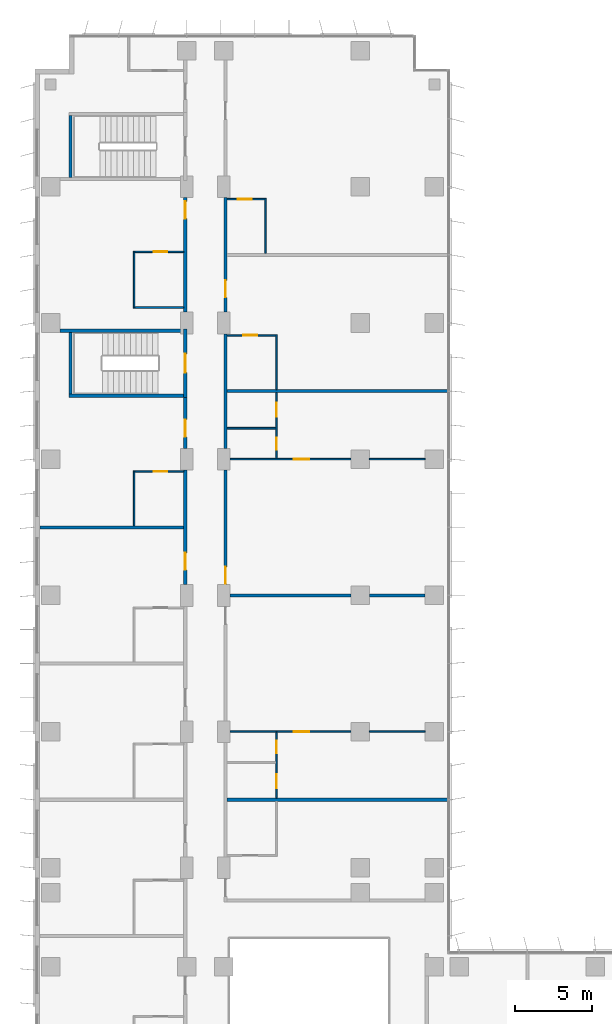
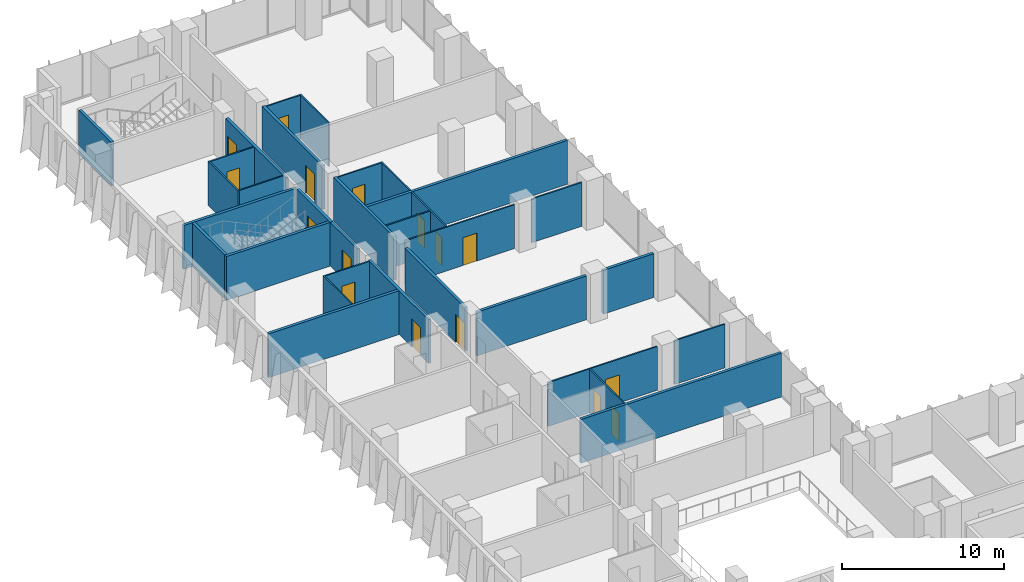
# One storey, part 16 of 22: 32 walls, 16 doors, 16 openings.
"""IFC4 building model written with IfcOpenShell, lengths in metres."""

from ifc_helpers import new_model, si_unit, direction, frame, frame_2d, origin, place, context, subcontext, project, spatial, rectangle, extrude, material, layer, layer_set, type_object, element, fill, save


model = new_model("IFC4")

# Units and contexts
model_context = context("Model", 3, precision=1e-05, world=origin(), true_north=direction((0.0, 1.0)))
body_context = subcontext(model_context, "Body", "Model", "MODEL_VIEW")
ifc_project = project(units=[si_unit("LENGTHUNIT", "METRE"), si_unit("AREAUNIT", "SQUARE_METRE"), si_unit("VOLUMEUNIT", "CUBIC_METRE"), si_unit("PLANEANGLEUNIT", "RADIAN"), si_unit("MASSUNIT", "GRAM", prefix="KILO")], contexts=[model_context])

# Site, building, storey
site_placement = place(None, origin())
site = spatial("IfcSite", under=ifc_project, at=site_placement, CompositionType="ELEMENT")
building_placement = place(site_placement, origin())
building = spatial("IfcBuilding", under=site, at=building_placement, Name="Kemantara Hotel Tower", CompositionType="ELEMENT")
storey_placement = place(building_placement, frame((0.0, 0.0, 98.199951171875)))
storey = spatial("IfcBuildingStorey", under=building, at=storey_placement, Name="L23", CompositionType="ELEMENT", Elevation=98.199951171875)

# Wall, opening, door
ifc_material_1 = material(Name="Gypsum board partition, steel studs and mineral wool, 200 mm", Category="steel")
ifc_layer_1 = layer(ifc_material_1, 0.199951171875)
ifc_layer_set_1 = layer_set([ifc_layer_1], Name="Gypsum board partition, steel studs and mineral wool, 200 mm")
wall_type_1 = type_object("IfcWallType", Name="CORRIDOR WALL 200", PredefinedType="PARTITIONING", material=ifc_layer_set_1)
wall_1_placement = place(storey_placement, frame((9.699951171875, 45.7001953125, 0.0), z_axis=(0.0, 0.0, 1.0), x_axis=(0.0, 1.0, 0.0)))
wall_1 = element("IfcWall", 1, at=wall_1_placement, inside=storey, type_object=wall_type_1, Name="CORRIDOR WALL 200 020", PredefinedType="PARTITIONING", context=body_context, shape_type="SweptSolid", body=[
    extrude(rectangle(XDim=7.399658203125, YDim=0.199951171875, at=frame_2d((3.69970703125, 0.0))), origin(), (0.0, 0.0, 1.0), 3.300048828125),
])
opening_1_placement = place(wall_1_placement, frame((0.949951171875, 0.0, 0.0)))
opening_1 = element("IfcOpeningElement", 2, at=opening_1_placement, cuts=wall_1, Name="Opening F09-025", PredefinedType="OPENING", context=body_context, shape_type="SweptSolid", body=[
    extrude(rectangle(XDim=1.10009765625, YDim=2.10009765625, at=frame_2d((0.550048828125, 1.050048828125))), frame((0.0, 0.10986328125, 0.0), z_axis=(0.0, -1.0, 0.0), x_axis=(1.0, 0.0, 0.0)), (0.0, 0.0, 1.0), 0.219970703125),
])
ifc_material_2 = material(Name="Hardwood veneer door leaf with steel frame", Category="steel")
door_type_1 = type_object("IfcDoorType", Name="SUITE ENTRANCE DOOR 1100 X 2100 FD30S", OperationType="NOTDEFINED", PredefinedType="DOOR", material=ifc_material_2)
door_1_placement = place(opening_1_placement, origin())
door_1 = element("IfcDoor", 3, at=door_1_placement, inside=storey, type_object=door_type_1, Name="SUITE ENTRANCE DOOR F09-025", OperationType="SINGLE_SWING_RIGHT", OverallHeight=2.10009765625, OverallWidth=1.10009765625, PredefinedType="DOOR", context=body_context, shape_type="SweptSolid", body=[
    extrude(rectangle(XDim=1.10009765625, YDim=2.10009765625, at=frame_2d((0.550048828125, 1.050048828125))), frame((0.0, 0.02490234375, 0.0), z_axis=(0.0, -1.0, 0.0), x_axis=(1.0, 0.0, 0.0)), (0.0, 0.0, 1.0), 0.050048828125),
])
fill(opening_1, door_1)

wall_2_placement = place(storey_placement, frame((9.699951171875, 54.5, 0.0), z_axis=(0.0, 0.0, 1.0), x_axis=(0.0, 1.0, 0.0)))
wall_2 = element("IfcWall", 4, at=wall_2_placement, inside=storey, type_object=wall_type_1, Name="CORRIDOR WALL 200 021", PredefinedType="PARTITIONING", context=body_context, shape_type="SweptSolid", body=[
    extrude(rectangle(XDim=3.300048828125, YDim=0.199951171875, at=frame_2d((1.64990234375, 0.0))), origin(), (0.0, 0.0, 1.0), 3.300048828125),
])
opening_2_placement = place(wall_2_placement, frame((0.75, 0.0, 0.0)))
opening_2 = element("IfcOpeningElement", 5, at=opening_2_placement, cuts=wall_2, Name="Opening F09-027", PredefinedType="OPENING", context=body_context, shape_type="SweptSolid", body=[
    extrude(rectangle(XDim=1.10009765625, YDim=2.10009765625, at=frame_2d((0.550048828125, 1.050048828125))), frame((0.0, 0.10986328125, 0.0), z_axis=(0.0, -1.0, 0.0), x_axis=(1.0, 0.0, 0.0)), (0.0, 0.0, 1.0), 0.219970703125),
])
door_2_placement = place(opening_2_placement, origin())
door_2 = element("IfcDoor", 6, at=door_2_placement, inside=storey, type_object=door_type_1, Name="SUITE ENTRANCE DOOR F09-027", OperationType="SINGLE_SWING_RIGHT", OverallHeight=2.10009765625, OverallWidth=1.10009765625, PredefinedType="DOOR", context=body_context, shape_type="SweptSolid", body=[
    extrude(rectangle(XDim=1.10009765625, YDim=2.10009765625, at=frame_2d((0.550048828125, 1.050048828125))), frame((0.0, 0.02490234375, 0.0), z_axis=(0.0, -1.0, 0.0), x_axis=(1.0, 0.0, 0.0)), (0.0, 0.0, 1.0), 0.050048828125),
])
fill(opening_2, door_2)

wall_3_placement = place(storey_placement, frame((9.699951171875, 63.300048828125, 0.0), z_axis=(0.0, 0.0, 1.0), x_axis=(0.0, 1.0, 0.0)))
wall_3 = element("IfcWall", 7, at=wall_3_placement, inside=storey, type_object=wall_type_1, Name="CORRIDOR WALL 200 022", PredefinedType="PARTITIONING", context=body_context, shape_type="SweptSolid", body=[
    extrude(rectangle(XDim=7.39990234375, YDim=0.199951171875, at=frame_2d((3.699951171875, 0.0))), origin(), (0.0, 0.0, 1.0), 3.300048828125),
])
opening_3_placement = place(wall_3_placement, frame((6.0498046875, 0.0, 0.0)))
opening_3 = element("IfcOpeningElement", 8, at=opening_3_placement, cuts=wall_3, Name="Opening F09-029", PredefinedType="OPENING", context=body_context, shape_type="SweptSolid", body=[
    extrude(rectangle(XDim=1.10009765625, YDim=2.10009765625, at=frame_2d((0.550048828125, 1.050048828125))), frame((0.0, 0.10986328125, 0.0), z_axis=(0.0, -1.0, 0.0), x_axis=(1.0, 0.0, 0.0)), (0.0, 0.0, 1.0), 0.219970703125),
])
door_3_placement = place(opening_3_placement, origin())
door_3 = element("IfcDoor", 9, at=door_3_placement, inside=storey, type_object=door_type_1, Name="SUITE ENTRANCE DOOR F09-029", OperationType="SINGLE_SWING_RIGHT", OverallHeight=2.10009765625, OverallWidth=1.10009765625, PredefinedType="DOOR", context=body_context, shape_type="SweptSolid", body=[
    extrude(rectangle(XDim=1.10009765625, YDim=2.10009765625, at=frame_2d((0.550048828125, 1.050048828125))), frame((0.0, 0.02490234375, 0.0), z_axis=(0.0, -1.0, 0.0), x_axis=(1.0, 0.0, 0.0)), (0.0, 0.0, 1.0), 0.050048828125),
])
fill(opening_3, door_3)

wall_4_placement = place(storey_placement, frame((12.300048828125, 53.099853515625, 0.0), z_axis=(0.0, 0.0, 1.0), x_axis=(0.0, -1.0, 0.0)))
wall_4 = element("IfcWall", 10, at=wall_4_placement, inside=storey, type_object=wall_type_1, Name="CORRIDOR WALL 200 033", PredefinedType="PARTITIONING", context=body_context, shape_type="SweptSolid", body=[
    extrude(rectangle(XDim=7.399658203125, YDim=0.199951171875, at=frame_2d((3.69970703125, 0.0))), origin(), (0.0, 0.0, 1.0), 3.300048828125),
])
opening_4_placement = place(wall_4_placement, frame((6.25, 0.0, 0.0)))
opening_4 = element("IfcOpeningElement", 11, at=opening_4_placement, cuts=wall_4, Name="Opening F09-039", PredefinedType="OPENING", context=body_context, shape_type="SweptSolid", body=[
    extrude(rectangle(XDim=1.10009765625, YDim=2.10009765625, at=frame_2d((0.550048828125, 1.050048828125))), frame((0.0, 0.10986328125, 0.0), z_axis=(0.0, -1.0, 0.0), x_axis=(1.0, 0.0, 0.0)), (0.0, 0.0, 1.0), 0.219970703125),
])
door_4_placement = place(opening_4_placement, origin())
door_4 = element("IfcDoor", 12, at=door_4_placement, inside=storey, type_object=door_type_1, Name="SUITE ENTRANCE DOOR F09-039", OperationType="SINGLE_SWING_RIGHT", OverallHeight=2.10009765625, OverallWidth=1.10009765625, PredefinedType="DOOR", context=body_context, shape_type="SweptSolid", body=[
    extrude(rectangle(XDim=1.10009765625, YDim=2.10009765625, at=frame_2d((0.550048828125, 1.050048828125))), frame((0.0, 0.02490234375, 0.0), z_axis=(0.0, -1.0, 0.0), x_axis=(1.0, 0.0, 0.0)), (0.0, 0.0, 1.0), 0.050048828125),
])
fill(opening_4, door_4)

# Wall
wall_5_placement = place(storey_placement, frame((12.300048828125, 54.5, 0.0), z_axis=(0.0, 0.0, 1.0), x_axis=(0.0, 1.0, 0.0)))
element("IfcWall", 13, at=wall_5_placement, inside=storey, type_object=wall_type_1, Name="CORRIDOR WALL 200 034", PredefinedType="PARTITIONING", context=body_context, shape_type="SweptSolid", body=[
    extrude(rectangle(XDim=7.39990234375, YDim=0.199951171875, at=frame_2d((3.699951171875, 0.0))), origin(), (0.0, 0.0, 1.0), 3.300048828125),
])

# Wall, opening, door
wall_6_placement = place(storey_placement, frame((12.300048828125, 70.699951171875, 0.0), z_axis=(0.0, 0.0, 1.0), x_axis=(0.0, -1.0, 0.0)))
wall_6 = element("IfcWall", 14, at=wall_6_placement, inside=storey, type_object=wall_type_1, Name="CORRIDOR WALL 200 035", PredefinedType="PARTITIONING", context=body_context, shape_type="SweptSolid", body=[
    extrude(rectangle(XDim=7.39990234375, YDim=0.199951171875, at=frame_2d((3.699951171875, 0.0))), origin(), (0.0, 0.0, 1.0), 3.300048828125),
])
opening_5_placement = place(wall_6_placement, frame((5.349853515625, 0.0, 0.0)))
opening_5 = element("IfcOpeningElement", 15, at=opening_5_placement, cuts=wall_6, Name="Opening F09-043", PredefinedType="OPENING", context=body_context, shape_type="SweptSolid", body=[
    extrude(rectangle(XDim=1.10009765625, YDim=2.10009765625, at=frame_2d((0.550048828125, 1.050048828125))), frame((0.0, 0.10986328125, 0.0), z_axis=(0.0, -1.0, 0.0), x_axis=(1.0, 0.0, 0.0)), (0.0, 0.0, 1.0), 0.219970703125),
])
door_5_placement = place(opening_5_placement, origin())
door_5 = element("IfcDoor", 16, at=door_5_placement, inside=storey, type_object=door_type_1, Name="SUITE ENTRANCE DOOR F09-043", OperationType="SINGLE_SWING_LEFT", OverallHeight=2.10009765625, OverallWidth=1.10009765625, PredefinedType="DOOR", context=body_context, shape_type="SweptSolid", body=[
    extrude(rectangle(XDim=1.10009765625, YDim=2.10009765625, at=frame_2d((0.550048828125, 1.050048828125))), frame((0.0, 0.02490234375, 0.0), z_axis=(0.0, -1.0, 0.0), x_axis=(1.0, 0.0, 0.0)), (0.0, 0.0, 1.0), 0.050048828125),
])
fill(opening_5, door_5)

ifc_material_3 = material(Name="Concrete fc 40 MPa", Category="concrete")
ifc_layer_2 = layer(ifc_material_3, 0.199951171875)
ifc_layer_set_2 = layer_set([ifc_layer_2], Name="Concrete fc 40 MPa")
wall_type_2 = type_object("IfcWallType", Name="Concrete stair wall 200 mm", PredefinedType="SHEAR", material=ifc_layer_set_2)
wall_7_placement = place(storey_placement, frame((9.699951171875, 57.800048828125, 0.0), z_axis=(0.0, 0.0, 1.0), x_axis=(0.0, 1.0, 0.0)))
wall_7 = element("IfcWall", 17, at=wall_7_placement, inside=storey, type_object=wall_type_2, Name="Stair ST4 enclosure wall with door", PredefinedType="SHEAR", context=body_context, shape_type="SweptSolid", body=[
    extrude(rectangle(XDim=4.39990234375, YDim=0.199951171875, at=frame_2d((2.199951171875, 0.0))), origin(), (0.0, 0.0, 1.0), 3.300048828125),
])
opening_6_placement = place(wall_7_placement, frame((1.60009765625, 0.0, 0.0)))
opening_6 = element("IfcOpeningElement", 18, at=opening_6_placement, cuts=wall_7, Name="Opening ST4-C", PredefinedType="OPENING", context=body_context, shape_type="SweptSolid", body=[
    extrude(rectangle(XDim=1.199951171875, YDim=2.10009765625, at=frame_2d((0.60009765625, 1.050048828125))), frame((0.0, 0.10986328125, 0.0), z_axis=(0.0, -1.0, 0.0), x_axis=(1.0, 0.0, 0.0)), (0.0, 0.0, 1.0), 0.219970703125),
])
ifc_material_4 = material(Name="Steel fire door", Category="steel")
door_type_2 = type_object("IfcDoorType", Name="Fire door FD90 1200 x 2100", OperationType="NOTDEFINED", PredefinedType="DOOR", material=ifc_material_4)
door_6_placement = place(opening_6_placement, origin())
door_6 = element("IfcDoor", 19, at=door_6_placement, inside=storey, type_object=door_type_2, Name="Stair ST4 door", OperationType="SINGLE_SWING_RIGHT", OverallHeight=2.10009765625, OverallWidth=1.199951171875, PredefinedType="DOOR", context=body_context, shape_type="SweptSolid", body=[
    extrude(rectangle(XDim=1.199951171875, YDim=2.10009765625, at=frame_2d((0.60009765625, 1.050048828125))), frame((0.0, 0.02490234375, 0.0), z_axis=(0.0, -1.0, 0.0), x_axis=(1.0, 0.0, 0.0)), (0.0, 0.0, 1.0), 0.050048828125),
])
fill(opening_6, door_6)

# Walls
wall_8_placement = place(storey_placement, frame((1.60009765625, 62.10009765625, 0.0), z_axis=(0.0, 0.0, 1.0), x_axis=(1.0, 0.0, 0.0)))
element("IfcWall", 20, at=wall_8_placement, inside=storey, type_object=wall_type_2, Name="Stair ST4 enclosure wall N", PredefinedType="SHEAR", context=body_context, shape_type="SweptSolid", body=[
    extrude(rectangle(XDim=8.0, YDim=0.199951171875, at=frame_2d((4.0, 0.0))), origin(), (0.0, 0.0, 1.0), 3.300048828125),
])
wall_9_placement = place(storey_placement, frame((2.199951171875, 57.89990234375, 0.0), z_axis=(0.0, 0.0, 1.0), x_axis=(1.0, 0.0, 0.0)))
element("IfcWall", 21, at=wall_9_placement, inside=storey, type_object=wall_type_2, Name="Stair ST4 enclosure wall S", PredefinedType="SHEAR", context=body_context, shape_type="SweptSolid", body=[
    extrude(rectangle(XDim=7.400146484375, YDim=0.199951171875, at=frame_2d((3.7001953125, 0.0))), origin(), (0.0, 0.0, 1.0), 3.300048828125),
])
for number, where, z_axis, x_axis, name in (
    (22, (2.300048828125, 58.0, 0.0), (0.0, 0.0, 1.0), (0.0, 1.0, 0.0), "Stair ST4 enclosure wall W"),
    (23, (2.300048828125, 72.0, 0.0), (0.0, 0.0, 1.0), (0.0, 1.0, 0.0), "Stair ST6 enclosure wall W"),
):
    element("IfcWall", number, at=place(storey_placement, frame(where, z_axis=z_axis, x_axis=x_axis)), inside=storey, type_object=wall_type_2, Name=name, PredefinedType="SHEAR", context=body_context, shape_type="SweptSolid", body=[
        extrude(rectangle(XDim=4.0, YDim=0.199951171875, at=frame_2d((2.0, 0.0))), origin(), (0.0, 0.0, 1.0), 3.300048828125),
    ])
ifc_layer_3 = layer(ifc_material_1, 0.199951171875)
ifc_layer_set_3 = layer_set([ifc_layer_3], Name="Gypsum board partition, steel studs and mineral wool, 200 mm")
wall_type_3 = type_object("IfcWallType", Name="GUEST ROOM PARTY WALL 200", PredefinedType="PARTITIONING", material=ifc_layer_set_3)
wall_10_placement = place(storey_placement, frame((12.39990234375, 31.800048828125, 0.0), z_axis=(0.0, 0.0, 1.0), x_axis=(1.0, 0.0, 0.0)))
element("IfcWall", 24, at=wall_10_placement, inside=storey, type_object=wall_type_3, Name="GUEST ROOM PARTY WALL 200 027", PredefinedType="PARTITIONING", context=body_context, shape_type="SweptSolid", body=[
    extrude(rectangle(XDim=14.27001953125, YDim=0.199951171875, at=frame_2d((7.135009765625, 0.0))), origin(), (0.0, 0.0, 1.0), 3.300048828125),
])
wall_11_placement = place(storey_placement, frame((0.31005859375, 49.39990234375, 0.0), z_axis=(0.0, 0.0, 1.0), x_axis=(1.0, 0.0, 0.0)))
element("IfcWall", 25, at=wall_11_placement, inside=storey, type_object=wall_type_3, Name="GUEST ROOM PARTY WALL 200 029", PredefinedType="PARTITIONING", context=body_context, shape_type="SweptSolid", body=[
    extrude(rectangle(XDim=9.2900390625, YDim=0.199951171875, at=frame_2d((4.64501953125, 0.0))), origin(), (0.0, 0.0, 1.0), 3.300048828125),
])
wall_12_placement = place(storey_placement, frame((12.60009765625, 45.0, 0.0), z_axis=(0.0, 0.0, 1.0), x_axis=(1.0, 0.0, 0.0)))
element("IfcWall", 26, at=wall_12_placement, inside=storey, type_object=wall_type_3, Name="GUEST ROOM PARTY WALL 200 039", PredefinedType="PARTITIONING", context=body_context, shape_type="SweptSolid", body=[
    extrude(rectangle(XDim=7.7998046875, YDim=0.199951171875, at=frame_2d((3.89990234375, 0.0))), origin(), (0.0, 0.0, 1.0), 3.300048828125),
])
wall_13_placement = place(storey_placement, frame((21.60009765625, 45.0, 0.0), z_axis=(0.0, 0.0, 1.0), x_axis=(1.0, 0.0, 0.0)))
element("IfcWall", 27, at=wall_13_placement, inside=storey, type_object=wall_type_3, Name="GUEST ROOM PARTY WALL 200 040", PredefinedType="PARTITIONING", context=body_context, shape_type="SweptSolid", body=[
    extrude(rectangle(XDim=3.599853515625, YDim=0.199951171875, at=frame_2d((1.7998046875, 0.0))), origin(), (0.0, 0.0, 1.0), 3.300048828125),
])
wall_14_placement = place(storey_placement, frame((12.39990234375, 58.199951171875, 0.0), z_axis=(0.0, 0.0, 1.0), x_axis=(1.0, 0.0, 0.0)))
element("IfcWall", 28, at=wall_14_placement, inside=storey, type_object=wall_type_3, Name="GUEST ROOM PARTY WALL 200 041", PredefinedType="PARTITIONING", context=body_context, shape_type="SweptSolid", body=[
    extrude(rectangle(XDim=14.27001953125, YDim=0.199951171875, at=frame_2d((7.135009765625, 0.0))), origin(), (0.0, 0.0, 1.0), 3.300048828125),
])
ifc_material_5 = material(Name="Gypsum board partition on steel studs, 100 mm", Category="steel")
ifc_layer_4 = layer(ifc_material_5, 0.10009765625)
ifc_layer_set_4 = layer_set([ifc_layer_4], Name="Gypsum board partition on steel studs, 100 mm")
wall_type_4 = type_object("IfcWallType", Name="ROOM PARTITION 100", PredefinedType="PARTITIONING", material=ifc_layer_set_4)
wall_15_placement = place(storey_placement, frame((6.39990234375, 49.5, 0.0), z_axis=(0.0, 0.0, 1.0), x_axis=(0.0, 1.0, 0.0)))
element("IfcWall", 29, at=wall_15_placement, inside=storey, type_object=wall_type_4, Name="ROOM PARTITION 100 067", PredefinedType="PARTITIONING", context=body_context, shape_type="SweptSolid", body=[
    extrude(rectangle(XDim=3.550048828125, YDim=0.10009765625, at=frame_2d((1.77490234375, 0.0))), origin(), (0.0, 0.0, 1.0), 3.300048828125),
])
wall_16_placement = place(storey_placement, frame((6.39990234375, 63.550048828125, 0.0), z_axis=(0.0, 0.0, 1.0), x_axis=(0.0, 1.0, 0.0)))
element("IfcWall", 30, at=wall_16_placement, inside=storey, type_object=wall_type_4, Name="ROOM PARTITION 100 068", PredefinedType="PARTITIONING", context=body_context, shape_type="SweptSolid", body=[
    extrude(rectangle(XDim=3.699951171875, YDim=0.10009765625, at=frame_2d((1.85009765625, 0.0))), origin(), (0.0, 0.0, 1.0), 3.300048828125),
])

# Wall, opening, door
wall_17_placement = place(storey_placement, frame((9.60009765625, 53.0, 0.0), z_axis=(0.0, 0.0, 1.0), x_axis=(-1.0, 0.0, 0.0)))
wall_17 = element("IfcWall", 31, at=wall_17_placement, inside=storey, type_object=wall_type_4, Name="ROOM PARTITION 100 073", PredefinedType="PARTITIONING", context=body_context, shape_type="SweptSolid", body=[
    extrude(rectangle(XDim=3.150146484375, YDim=0.10009765625, at=frame_2d((1.5751953125, 0.0))), origin(), (0.0, 0.0, 1.0), 3.300048828125),
])
opening_7_placement = place(wall_17_placement, frame((1.050048828125, 0.0, 0.0)))
opening_7 = element("IfcOpeningElement", 32, at=opening_7_placement, cuts=wall_17, Name="Opening F09-028", PredefinedType="OPENING", context=body_context, shape_type="SweptSolid", body=[
    extrude(rectangle(XDim=0.89990234375, YDim=2.10009765625, at=frame_2d((0.449951171875, 1.050048828125))), frame((0.0, 0.06005859375, 0.0), z_axis=(0.0, -1.0, 0.0), x_axis=(1.0, 0.0, 0.0)), (0.0, 0.0, 1.0), 0.1201171875),
])
door_type_3 = type_object("IfcDoorType", Name="BATHROOM DOOR 900 X 2100", OperationType="NOTDEFINED", PredefinedType="DOOR", material=ifc_material_2)
door_7_placement = place(opening_7_placement, origin())
door_7 = element("IfcDoor", 33, at=door_7_placement, inside=storey, type_object=door_type_3, Name="BATHROOM DOOR F09-028", OperationType="SINGLE_SWING_LEFT", OverallHeight=2.10009765625, OverallWidth=0.89990234375, PredefinedType="DOOR", context=body_context, shape_type="SweptSolid", body=[
    extrude(rectangle(XDim=0.89990234375, YDim=2.10009765625, at=frame_2d((0.449951171875, 1.050048828125))), frame((0.0, 0.02490234375, 0.0), z_axis=(0.0, -1.0, 0.0), x_axis=(1.0, 0.0, 0.0)), (0.0, 0.0, 1.0), 0.050048828125),
])
fill(opening_7, door_7)

# Wall
wall_18_placement = place(storey_placement, frame((6.449951171875, 63.60009765625, 0.0), z_axis=(0.0, 0.0, 1.0), x_axis=(1.0, 0.0, 0.0)))
element("IfcWall", 34, at=wall_18_placement, inside=storey, type_object=wall_type_4, Name="ROOM PARTITION 100 074", PredefinedType="PARTITIONING", context=body_context, shape_type="SweptSolid", body=[
    extrude(rectangle(XDim=3.150146484375, YDim=0.10009765625, at=frame_2d((1.5751953125, 0.0))), origin(), (0.0, 0.0, 1.0), 3.300048828125),
])

# Wall, opening, door
wall_19_placement = place(storey_placement, frame((9.60009765625, 67.199951171875, 0.0), z_axis=(0.0, 0.0, 1.0), x_axis=(-1.0, 0.0, 0.0)))
wall_19 = element("IfcWall", 35, at=wall_19_placement, inside=storey, type_object=wall_type_4, Name="ROOM PARTITION 100 075", PredefinedType="PARTITIONING", context=body_context, shape_type="SweptSolid", body=[
    extrude(rectangle(XDim=3.150146484375, YDim=0.10009765625, at=frame_2d((1.5751953125, 0.0))), origin(), (0.0, 0.0, 1.0), 3.300048828125),
])
opening_8_placement = place(wall_19_placement, frame((1.050048828125, 0.0, 0.0)))
opening_8 = element("IfcOpeningElement", 36, at=opening_8_placement, cuts=wall_19, Name="Opening F09-030", PredefinedType="OPENING", context=body_context, shape_type="SweptSolid", body=[
    extrude(rectangle(XDim=0.89990234375, YDim=2.10009765625, at=frame_2d((0.449951171875, 1.050048828125))), frame((0.0, 0.06005859375, 0.0), z_axis=(0.0, -1.0, 0.0), x_axis=(1.0, 0.0, 0.0)), (0.0, 0.0, 1.0), 0.1201171875),
])
door_8_placement = place(opening_8_placement, origin())
door_8 = element("IfcDoor", 37, at=door_8_placement, inside=storey, type_object=door_type_3, Name="BATHROOM DOOR F09-030", OperationType="SINGLE_SWING_LEFT", OverallHeight=2.10009765625, OverallWidth=0.89990234375, PredefinedType="DOOR", context=body_context, shape_type="SweptSolid", body=[
    extrude(rectangle(XDim=0.89990234375, YDim=2.10009765625, at=frame_2d((0.449951171875, 1.050048828125))), frame((0.0, 0.02490234375, 0.0), z_axis=(0.0, -1.0, 0.0), x_axis=(1.0, 0.0, 0.0)), (0.0, 0.0, 1.0), 0.050048828125),
])
fill(opening_8, door_8)

# Wall, openings, doors
wall_20_placement = place(storey_placement, frame((15.60009765625, 31.89990234375, 0.0), z_axis=(0.0, 0.0, 1.0), x_axis=(0.0, 1.0, 0.0)))
wall_20 = element("IfcWall", 38, at=wall_20_placement, inside=storey, type_object=wall_type_4, Name="ROOM PARTITION 100 078", PredefinedType="PARTITIONING", context=body_context, shape_type="SweptSolid", body=[
    extrude(rectangle(XDim=4.25, YDim=0.10009765625, at=frame_2d((2.125, 0.0))), origin(), (0.0, 0.0, 1.0), 3.300048828125),
])
opening_9_placement = place(wall_20_placement, frame((0.64990234375, 0.0, 0.0)))
opening_9 = element("IfcOpeningElement", 39, at=opening_9_placement, cuts=wall_20, Name="Opening F09-037", PredefinedType="OPENING", context=body_context, shape_type="SweptSolid", body=[
    extrude(rectangle(XDim=0.89990234375, YDim=2.10009765625, at=frame_2d((0.449951171875, 1.050048828125))), frame((0.0, 0.06005859375, 0.0), z_axis=(0.0, -1.0, 0.0), x_axis=(1.0, 0.0, 0.0)), (0.0, 0.0, 1.0), 0.1201171875),
])
opening_10_placement = place(wall_20_placement, frame((2.89990234375, 0.0, 0.0)))
opening_10 = element("IfcOpeningElement", 40, at=opening_10_placement, cuts=wall_20, Name="Opening F09-038", PredefinedType="OPENING", context=body_context, shape_type="SweptSolid", body=[
    extrude(rectangle(XDim=0.800048828125, YDim=2.10009765625, at=frame_2d((0.39990234375, 1.050048828125))), frame((0.0, 0.06005859375, 0.0), z_axis=(0.0, -1.0, 0.0), x_axis=(1.0, 0.0, 0.0)), (0.0, 0.0, 1.0), 0.1201171875),
])
door_9_placement = place(opening_9_placement, origin())
door_9 = element("IfcDoor", 41, at=door_9_placement, inside=storey, type_object=door_type_3, Name="BATHROOM DOOR F09-037", OperationType="SINGLE_SWING_RIGHT", OverallHeight=2.10009765625, OverallWidth=0.89990234375, PredefinedType="DOOR", context=body_context, shape_type="SweptSolid", body=[
    extrude(rectangle(XDim=0.89990234375, YDim=2.10009765625, at=frame_2d((0.449951171875, 1.050048828125))), frame((0.0, 0.02490234375, 0.0), z_axis=(0.0, -1.0, 0.0), x_axis=(1.0, 0.0, 0.0)), (0.0, 0.0, 1.0), 0.050048828125),
])
fill(opening_9, door_9)
door_type_4 = type_object("IfcDoorType", Name="WARDROBE DOOR 800 X 2100", OperationType="NOTDEFINED", PredefinedType="DOOR", material=ifc_material_2)
door_10_placement = place(opening_10_placement, origin())
door_10 = element("IfcDoor", 42, at=door_10_placement, inside=storey, type_object=door_type_4, Name="WARDROBE DOOR F09-038", OperationType="SINGLE_SWING_RIGHT", OverallHeight=2.10009765625, OverallWidth=0.800048828125, PredefinedType="DOOR", context=body_context, shape_type="SweptSolid", body=[
    extrude(rectangle(XDim=0.800048828125, YDim=2.10009765625, at=frame_2d((0.39990234375, 1.050048828125))), frame((0.0, 0.02490234375, 0.0), z_axis=(0.0, -1.0, 0.0), x_axis=(1.0, 0.0, 0.0)), (0.0, 0.0, 1.0), 0.050048828125),
])
fill(opening_10, door_10)

wall_21_placement = place(storey_placement, frame((15.60009765625, 53.85009765625, 0.0), z_axis=(0.0, 0.0, 1.0), x_axis=(0.0, 1.0, 0.0)))
wall_21 = element("IfcWall", 43, at=wall_21_placement, inside=storey, type_object=wall_type_4, Name="ROOM PARTITION 100 079", PredefinedType="PARTITIONING", context=body_context, shape_type="SweptSolid", body=[
    extrude(rectangle(XDim=4.25, YDim=0.10009765625, at=frame_2d((2.125, 0.0))), origin(), (0.0, 0.0, 1.0), 3.300048828125),
])
opening_11_placement = place(wall_21_placement, frame((2.699951171875, 0.0, 0.0)))
opening_11 = element("IfcOpeningElement", 44, at=opening_11_placement, cuts=wall_21, Name="Opening F09-041", PredefinedType="OPENING", context=body_context, shape_type="SweptSolid", body=[
    extrude(rectangle(XDim=0.89990234375, YDim=2.10009765625, at=frame_2d((0.449951171875, 1.050048828125))), frame((0.0, 0.06005859375, 0.0), z_axis=(0.0, -1.0, 0.0), x_axis=(1.0, 0.0, 0.0)), (0.0, 0.0, 1.0), 0.1201171875),
])
opening_12_placement = place(wall_21_placement, frame((0.550048828125, 0.0, 0.0)))
opening_12 = element("IfcOpeningElement", 45, at=opening_12_placement, cuts=wall_21, Name="Opening F09-042", PredefinedType="OPENING", context=body_context, shape_type="SweptSolid", body=[
    extrude(rectangle(XDim=0.800048828125, YDim=2.10009765625, at=frame_2d((0.39990234375, 1.050048828125))), frame((0.0, 0.06005859375, 0.0), z_axis=(0.0, -1.0, 0.0), x_axis=(1.0, 0.0, 0.0)), (0.0, 0.0, 1.0), 0.1201171875),
])
door_11_placement = place(opening_11_placement, origin())
door_11 = element("IfcDoor", 46, at=door_11_placement, inside=storey, type_object=door_type_3, Name="BATHROOM DOOR F09-041", OperationType="SINGLE_SWING_LEFT", OverallHeight=2.10009765625, OverallWidth=0.89990234375, PredefinedType="DOOR", context=body_context, shape_type="SweptSolid", body=[
    extrude(rectangle(XDim=0.89990234375, YDim=2.10009765625, at=frame_2d((0.449951171875, 1.050048828125))), frame((0.0, 0.02490234375, 0.0), z_axis=(0.0, -1.0, 0.0), x_axis=(1.0, 0.0, 0.0)), (0.0, 0.0, 1.0), 0.050048828125),
])
fill(opening_11, door_11)
door_12_placement = place(opening_12_placement, origin())
door_12 = element("IfcDoor", 47, at=door_12_placement, inside=storey, type_object=door_type_4, Name="WARDROBE DOOR F09-042", OperationType="SINGLE_SWING_LEFT", OverallHeight=2.10009765625, OverallWidth=0.800048828125, PredefinedType="DOOR", context=body_context, shape_type="SweptSolid", body=[
    extrude(rectangle(XDim=0.800048828125, YDim=2.10009765625, at=frame_2d((0.39990234375, 1.050048828125))), frame((0.0, 0.02490234375, 0.0), z_axis=(0.0, -1.0, 0.0), x_axis=(1.0, 0.0, 0.0)), (0.0, 0.0, 1.0), 0.050048828125),
])
fill(opening_12, door_12)

# Wall
wall_22_placement = place(storey_placement, frame((15.60009765625, 58.300048828125, 0.0), z_axis=(0.0, 0.0, 1.0), x_axis=(0.0, 1.0, 0.0)))
element("IfcWall", 48, at=wall_22_placement, inside=storey, type_object=wall_type_4, Name="ROOM PARTITION 100 080", PredefinedType="PARTITIONING", context=body_context, shape_type="SweptSolid", body=[
    extrude(rectangle(XDim=3.550048828125, YDim=0.10009765625, at=frame_2d((1.77490234375, 0.0))), origin(), (0.0, 0.0, 1.0), 3.300048828125),
])

# Wall, opening, door
wall_23_placement = place(storey_placement, frame((20.39990234375, 36.199951171875, 0.0), z_axis=(0.0, 0.0, 1.0), x_axis=(-1.0, 0.0, 0.0)))
wall_23 = element("IfcWall", 49, at=wall_23_placement, inside=storey, type_object=wall_type_4, Name="ROOM PARTITION 100 082", PredefinedType="PARTITIONING", context=body_context, shape_type="SweptSolid", body=[
    extrude(rectangle(XDim=7.7998046875, YDim=0.10009765625, at=frame_2d((3.89990234375, 0.0))), origin(), (0.0, 0.0, 1.0), 3.300048828125),
])
opening_13_placement = place(wall_23_placement, frame((2.699951171875, 0.0, 0.0)))
opening_13 = element("IfcOpeningElement", 50, at=opening_13_placement, cuts=wall_23, Name="Opening F09-036", PredefinedType="OPENING", context=body_context, shape_type="SweptSolid", body=[
    extrude(rectangle(XDim=1.0, YDim=2.10009765625, at=frame_2d((0.5, 1.050048828125))), frame((0.0, 0.06005859375, 0.0), z_axis=(0.0, -1.0, 0.0), x_axis=(1.0, 0.0, 0.0)), (0.0, 0.0, 1.0), 0.1201171875),
])
door_type_5 = type_object("IfcDoorType", Name="INTERNAL DOOR 1000 X 2100", OperationType="NOTDEFINED", PredefinedType="DOOR", material=ifc_material_2)
door_13_placement = place(opening_13_placement, origin())
door_13 = element("IfcDoor", 51, at=door_13_placement, inside=storey, type_object=door_type_5, Name="INTERNAL DOOR F09-036", OperationType="SINGLE_SWING_RIGHT", OverallHeight=2.10009765625, OverallWidth=1.0, PredefinedType="DOOR", context=body_context, shape_type="SweptSolid", body=[
    extrude(rectangle(XDim=1.0, YDim=2.10009765625, at=frame_2d((0.5, 1.050048828125))), frame((0.0, 0.02490234375, 0.0), z_axis=(0.0, -1.0, 0.0), x_axis=(1.0, 0.0, 0.0)), (0.0, 0.0, 1.0), 0.050048828125),
])
fill(opening_13, door_13)

# Wall
wall_24_placement = place(storey_placement, frame((21.60009765625, 36.199951171875, 0.0), z_axis=(0.0, 0.0, 1.0), x_axis=(1.0, 0.0, 0.0)))
element("IfcWall", 52, at=wall_24_placement, inside=storey, type_object=wall_type_4, Name="ROOM PARTITION 100 083", PredefinedType="PARTITIONING", context=body_context, shape_type="SweptSolid", body=[
    extrude(rectangle(XDim=3.599853515625, YDim=0.10009765625, at=frame_2d((1.7998046875, 0.0))), origin(), (0.0, 0.0, 1.0), 3.300048828125),
])

# Wall, opening, door
wall_25_placement = place(storey_placement, frame((12.60009765625, 53.800048828125, 0.0), z_axis=(0.0, 0.0, 1.0), x_axis=(1.0, 0.0, 0.0)))
wall_25 = element("IfcWall", 53, at=wall_25_placement, inside=storey, type_object=wall_type_4, Name="ROOM PARTITION 100 085", PredefinedType="PARTITIONING", context=body_context, shape_type="SweptSolid", body=[
    extrude(rectangle(XDim=7.7998046875, YDim=0.10009765625, at=frame_2d((3.89990234375, 0.0))), origin(), (0.0, 0.0, 1.0), 3.300048828125),
])
opening_14_placement = place(wall_25_placement, frame((4.099853515625, 0.0, 0.0)))
opening_14 = element("IfcOpeningElement", 54, at=opening_14_placement, cuts=wall_25, Name="Opening F09-040", PredefinedType="OPENING", context=body_context, shape_type="SweptSolid", body=[
    extrude(rectangle(XDim=1.0, YDim=2.10009765625, at=frame_2d((0.5, 1.050048828125))), frame((0.0, 0.06005859375, 0.0), z_axis=(0.0, -1.0, 0.0), x_axis=(1.0, 0.0, 0.0)), (0.0, 0.0, 1.0), 0.1201171875),
])
door_14_placement = place(opening_14_placement, origin())
door_14 = element("IfcDoor", 55, at=door_14_placement, inside=storey, type_object=door_type_5, Name="INTERNAL DOOR F09-040", OperationType="SINGLE_SWING_LEFT", OverallHeight=2.10009765625, OverallWidth=1.0, PredefinedType="DOOR", context=body_context, shape_type="SweptSolid", body=[
    extrude(rectangle(XDim=1.0, YDim=2.10009765625, at=frame_2d((0.5, 1.050048828125))), frame((0.0, 0.02490234375, 0.0), z_axis=(0.0, -1.0, 0.0), x_axis=(1.0, 0.0, 0.0)), (0.0, 0.0, 1.0), 0.050048828125),
])
fill(opening_14, door_14)

# Walls
wall_26_placement = place(storey_placement, frame((21.60009765625, 53.800048828125, 0.0), z_axis=(0.0, 0.0, 1.0), x_axis=(1.0, 0.0, 0.0)))
element("IfcWall", 56, at=wall_26_placement, inside=storey, type_object=wall_type_4, Name="ROOM PARTITION 100 086", PredefinedType="PARTITIONING", context=body_context, shape_type="SweptSolid", body=[
    extrude(rectangle(XDim=3.599853515625, YDim=0.10009765625, at=frame_2d((1.7998046875, 0.0))), origin(), (0.0, 0.0, 1.0), 3.300048828125),
])
wall_27_placement = place(storey_placement, frame((12.39990234375, 55.800048828125, 0.0), z_axis=(0.0, 0.0, 1.0), x_axis=(1.0, 0.0, 0.0)))
element("IfcWall", 57, at=wall_27_placement, inside=storey, type_object=wall_type_4, Name="ROOM PARTITION 100 087", PredefinedType="PARTITIONING", context=body_context, shape_type="SweptSolid", body=[
    extrude(rectangle(XDim=3.150146484375, YDim=0.10009765625, at=frame_2d((1.5751953125, 0.0))), origin(), (0.0, 0.0, 1.0), 3.300048828125),
])

# Wall, opening, door
wall_28_placement = place(storey_placement, frame((15.550048828125, 61.800048828125, 0.0), z_axis=(0.0, 0.0, 1.0), x_axis=(-1.0, 0.0, 0.0)))
wall_28 = element("IfcWall", 58, at=wall_28_placement, inside=storey, type_object=wall_type_4, Name="ROOM PARTITION 100 088", PredefinedType="PARTITIONING", context=body_context, shape_type="SweptSolid", body=[
    extrude(rectangle(XDim=3.150146484375, YDim=0.10009765625, at=frame_2d((1.5751953125, 0.0))), origin(), (0.0, 0.0, 1.0), 3.300048828125),
])
opening_15_placement = place(wall_28_placement, frame((1.199951171875, 0.0, 0.0)))
opening_15 = element("IfcOpeningElement", 59, at=opening_15_placement, cuts=wall_28, Name="Opening F09-044", PredefinedType="OPENING", context=body_context, shape_type="SweptSolid", body=[
    extrude(rectangle(XDim=0.89990234375, YDim=2.10009765625, at=frame_2d((0.449951171875, 1.050048828125))), frame((0.0, 0.06005859375, 0.0), z_axis=(0.0, -1.0, 0.0), x_axis=(1.0, 0.0, 0.0)), (0.0, 0.0, 1.0), 0.1201171875),
])
door_15_placement = place(opening_15_placement, origin())
door_15 = element("IfcDoor", 60, at=door_15_placement, inside=storey, type_object=door_type_3, Name="BATHROOM DOOR F09-044", OperationType="SINGLE_SWING_RIGHT", OverallHeight=2.10009765625, OverallWidth=0.89990234375, PredefinedType="DOOR", context=body_context, shape_type="SweptSolid", body=[
    extrude(rectangle(XDim=0.89990234375, YDim=2.10009765625, at=frame_2d((0.449951171875, 1.050048828125))), frame((0.0, 0.02490234375, 0.0), z_axis=(0.0, -1.0, 0.0), x_axis=(1.0, 0.0, 0.0)), (0.0, 0.0, 1.0), 0.050048828125),
])
fill(opening_15, door_15)

# Wall
wall_29_placement = place(storey_placement, frame((14.89990234375, 67.10009765625, 0.0), z_axis=(0.0, 0.0, 1.0), x_axis=(0.0, 1.0, 0.0)))
element("IfcWall", 61, at=wall_29_placement, inside=storey, type_object=wall_type_4, Name="ROOM PARTITION 100 089", PredefinedType="PARTITIONING", context=body_context, shape_type="SweptSolid", body=[
    extrude(rectangle(XDim=3.5498046875, YDim=0.10009765625, at=frame_2d((1.77490234375, 0.0))), origin(), (0.0, 0.0, 1.0), 3.300048828125),
])

# Wall, opening, door
wall_30_placement = place(storey_placement, frame((14.85009765625, 70.60009765625, 0.0), z_axis=(0.0, 0.0, 1.0), x_axis=(-1.0, 0.0, 0.0)))
wall_30 = element("IfcWall", 62, at=wall_30_placement, inside=storey, type_object=wall_type_4, Name="ROOM PARTITION 100 090", PredefinedType="PARTITIONING", context=body_context, shape_type="SweptSolid", body=[
    extrude(rectangle(XDim=2.4501953125, YDim=0.10009765625, at=frame_2d((1.22509765625, 0.0))), origin(), (0.0, 0.0, 1.0), 3.300048828125),
])
opening_16_placement = place(wall_30_placement, frame((0.85009765625, 0.0, 0.0)))
opening_16 = element("IfcOpeningElement", 63, at=opening_16_placement, cuts=wall_30, Name="Opening F09-046", PredefinedType="OPENING", context=body_context, shape_type="SweptSolid", body=[
    extrude(rectangle(XDim=0.89990234375, YDim=2.10009765625, at=frame_2d((0.449951171875, 1.050048828125))), frame((0.0, 0.06005859375, 0.0), z_axis=(0.0, -1.0, 0.0), x_axis=(1.0, 0.0, 0.0)), (0.0, 0.0, 1.0), 0.1201171875),
])
door_16_placement = place(opening_16_placement, origin())
door_16 = element("IfcDoor", 64, at=door_16_placement, inside=storey, type_object=door_type_3, Name="BATHROOM DOOR F09-046", OperationType="SINGLE_SWING_RIGHT", OverallHeight=2.10009765625, OverallWidth=0.89990234375, PredefinedType="DOOR", context=body_context, shape_type="SweptSolid", body=[
    extrude(rectangle(XDim=0.89990234375, YDim=2.10009765625, at=frame_2d((0.449951171875, 1.050048828125))), frame((0.0, 0.02490234375, 0.0), z_axis=(0.0, -1.0, 0.0), x_axis=(1.0, 0.0, 0.0)), (0.0, 0.0, 1.0), 0.050048828125),
])
fill(opening_16, door_16)

save(model, "model.ifc")
